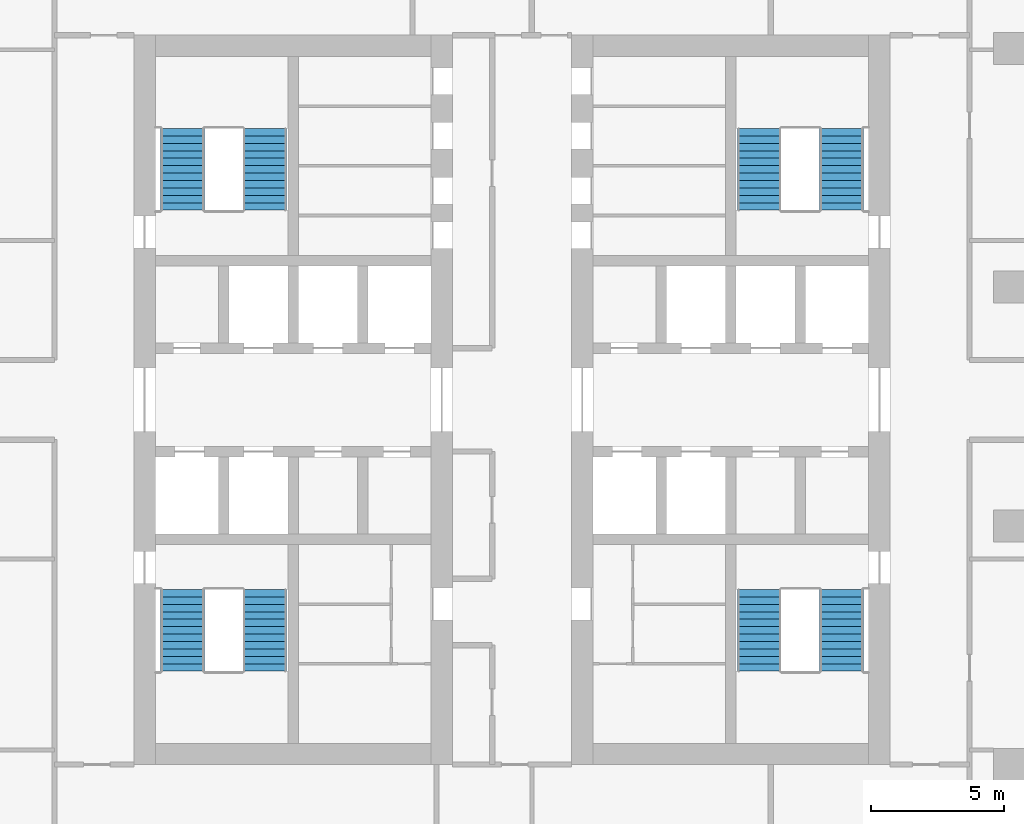
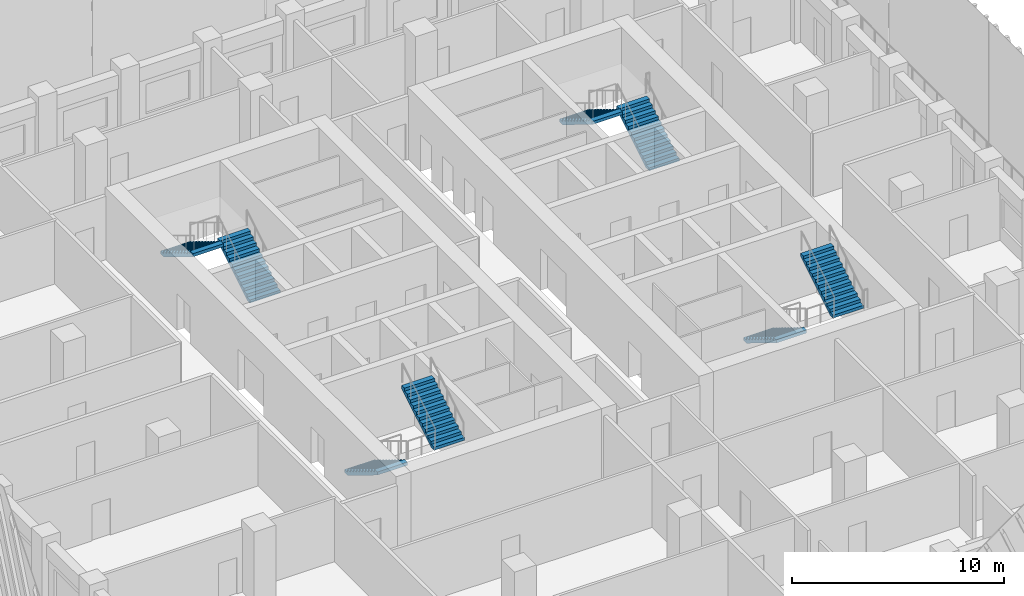
# One storey, part 9 of 17: 8 stair flights, 4 elements without a shape of their own.
"""IFC4 building model written with IfcOpenShell, lengths in metres."""

from ifc_helpers import new_model, si_unit, direction, frame, origin, place, context, subcontext, project, spatial, polyline, outline, extrude, material, type_object, element, aggregate, save


model = new_model("IFC4")

# Units and contexts
model_context = context("Model", 3, precision=1e-05, world=origin(), true_north=direction((0.0, 1.0)))
body_context = subcontext(model_context, "Body", "Model", "MODEL_VIEW")
ifc_project = project(units=[si_unit("LENGTHUNIT", "METRE"), si_unit("AREAUNIT", "SQUARE_METRE"), si_unit("VOLUMEUNIT", "CUBIC_METRE"), si_unit("PLANEANGLEUNIT", "RADIAN"), si_unit("MASSUNIT", "GRAM", prefix="KILO")], contexts=[model_context])

# Site, building, storey
site_placement = place(None, origin())
site = spatial("IfcSite", under=ifc_project, at=site_placement, CompositionType="ELEMENT")
building_placement = place(site_placement, origin())
building = spatial("IfcBuilding", under=site, at=building_placement, Name="Corbel Stack Research Tower", CompositionType="ELEMENT")
storey_placement = place(building_placement, frame((0.0, 0.0, 156.800048828125)))
storey = spatial("IfcBuildingStorey", under=building, at=storey_placement, Name="L35", CompositionType="ELEMENT", Elevation=156.800048828125)

# Stair, stair flights
ifc_material_1 = material(Name="Concrete C40/50", Category="concrete")
stair_type = type_object("IfcStairType", Name="Exit stair 24 risers", PredefinedType="HALF_TURN_STAIR", material=ifc_material_1)
stair_1_placement = place(storey_placement, origin())
stair_1 = element("IfcStair", 1, at=stair_1_placement, inside=storey, type_object=stair_type, Name="L35 Exit stair ST-W1", PredefinedType="HALF_TURN_STAIR")
ifc_material_2 = material(Name="Concrete C40/50", Category="concrete")
stair_flight_type = type_object("IfcStairFlightType", Name="Stair flight 12 risers", PredefinedType="STRAIGHT", material=ifc_material_2)
stair_flight_1_placement = place(storey_placement, frame((-8.675048828125, -2.39990234375, 0.0), z_axis=(0.0, 0.0, 1.0), x_axis=(0.0, -1.0, 0.0)))
stair_flight_1 = element("IfcStairFlight", 2, at=stair_flight_1_placement, type_object=stair_flight_type, Name="ST-W1 flight 1", NumberOfRisers=12, NumberOfTreads=11, PredefinedType="STRAIGHT", RiserHeight=0.170833333, TreadLength=0.28, context=body_context, shape_type="SweptSolid", body=[
    extrude(outline(polyline([(0.0, 0.0), (0.0, 0.1708984375), (0.280029296875, 0.1708984375), (0.280029296875, 0.341552734375), (0.56005859375, 0.341552734375), (0.56005859375, 0.512451171875), (0.840087890625, 0.512451171875), (0.840087890625, 0.683349609375), (1.1201171875, 0.683349609375), (1.1201171875, 0.854248046875), (1.39990234375, 0.854248046875), (1.39990234375, 1.02490234375), (1.679931640625, 1.02490234375), (1.679931640625, 1.19580078125), (1.9599609375, 1.19580078125), (1.9599609375, 1.36669921875), (2.239990234375, 1.36669921875), (2.239990234375, 1.53759765625), (2.52001953125, 1.53759765625), (2.52001953125, 1.708251953125), (2.800048828125, 1.708251953125), (2.800048828125, 1.879150390625), (3.080078125, 1.879150390625), (3.080078125, 2.050048828125), (3.080078125, 1.70361328125), (0.287841796875, 0.0), (0.0, 0.0)])), frame((0.0, 0.824951171875, 0.0), z_axis=(0.0, -1.0, 0.0), x_axis=(1.0, 0.0, 0.0)), (0.0, 0.0, 1.0), 1.64990234375),
])
stair_flight_2_placement = place(storey_placement, frame((-5.574951171875, -5.47998046875, 2.050048828125), z_axis=(0.0, 0.0, 1.0), x_axis=(0.0, 1.0, 0.0)))
stair_flight_2 = element("IfcStairFlight", 3, at=stair_flight_2_placement, type_object=stair_flight_type, Name="ST-W1 flight 2", NumberOfRisers=12, NumberOfTreads=11, PredefinedType="STRAIGHT", RiserHeight=0.170833333, TreadLength=0.28, context=body_context, shape_type="SweptSolid", body=[
    extrude(outline(polyline([(0.0, 0.0), (0.0, 0.1708984375), (0.280029296875, 0.1708984375), (0.280029296875, 0.341552734375), (0.56005859375, 0.341552734375), (0.56005859375, 0.512451171875), (0.840087890625, 0.512451171875), (0.840087890625, 0.683349609375), (1.1201171875, 0.683349609375), (1.1201171875, 0.854248046875), (1.39990234375, 0.854248046875), (1.39990234375, 1.02490234375), (1.679931640625, 1.02490234375), (1.679931640625, 1.19580078125), (1.9599609375, 1.19580078125), (1.9599609375, 1.36669921875), (2.239990234375, 1.36669921875), (2.239990234375, 1.53759765625), (2.52001953125, 1.53759765625), (2.52001953125, 1.708251953125), (2.800048828125, 1.708251953125), (2.800048828125, 1.879150390625), (3.080078125, 1.879150390625), (3.080078125, 2.050048828125), (3.080078125, 1.70361328125), (0.287841796875, 0.0), (0.0, 0.0)])), frame((0.0, 0.824951171875, 0.0), z_axis=(0.0, -1.0, 0.0), x_axis=(1.0, 0.0, 0.0)), (0.0, 0.0, 1.0), 1.64990234375),
])
aggregate(stair_1, [stair_flight_1, stair_flight_2])

stair_2_placement = place(storey_placement, origin())
stair_2 = element("IfcStair", 4, at=stair_2_placement, inside=storey, type_object=stair_type, Name="L35 Exit stair ST-W2", PredefinedType="HALF_TURN_STAIR")
stair_flight_3_placement = place(storey_placement, frame((-5.574951171875, 11.89990234375, 0.0), z_axis=(0.0, 0.0, 1.0), x_axis=(0.0, 1.0, 0.0)))
stair_flight_3 = element("IfcStairFlight", 5, at=stair_flight_3_placement, type_object=stair_flight_type, Name="ST-W2 flight 1", NumberOfRisers=12, NumberOfTreads=11, PredefinedType="STRAIGHT", RiserHeight=0.170833333, TreadLength=0.28, context=body_context, shape_type="SweptSolid", body=[
    extrude(outline(polyline([(0.0, 0.0), (0.0, 0.1708984375), (0.280029296875, 0.1708984375), (0.280029296875, 0.341552734375), (0.56005859375, 0.341552734375), (0.56005859375, 0.512451171875), (0.840087890625, 0.512451171875), (0.840087890625, 0.683349609375), (1.1201171875, 0.683349609375), (1.1201171875, 0.854248046875), (1.39990234375, 0.854248046875), (1.39990234375, 1.02490234375), (1.679931640625, 1.02490234375), (1.679931640625, 1.19580078125), (1.9599609375, 1.19580078125), (1.9599609375, 1.36669921875), (2.239990234375, 1.36669921875), (2.239990234375, 1.53759765625), (2.52001953125, 1.53759765625), (2.52001953125, 1.708251953125), (2.800048828125, 1.708251953125), (2.800048828125, 1.879150390625), (3.080078125, 1.879150390625), (3.080078125, 2.050048828125), (3.080078125, 1.70361328125), (0.287841796875, 0.0), (0.0, 0.0)])), frame((0.0, 0.824951171875, 0.0), z_axis=(0.0, -1.0, 0.0), x_axis=(1.0, 0.0, 0.0)), (0.0, 0.0, 1.0), 1.64990234375),
])
stair_flight_4_placement = place(storey_placement, frame((-8.675048828125, 14.97998046875, 2.050048828125), z_axis=(0.0, 0.0, 1.0), x_axis=(0.0, -1.0, 0.0)))
stair_flight_4 = element("IfcStairFlight", 6, at=stair_flight_4_placement, type_object=stair_flight_type, Name="ST-W2 flight 2", NumberOfRisers=12, NumberOfTreads=11, PredefinedType="STRAIGHT", RiserHeight=0.170833333, TreadLength=0.28, context=body_context, shape_type="SweptSolid", body=[
    extrude(outline(polyline([(0.0, 0.0), (0.0, 0.1708984375), (0.280029296875, 0.1708984375), (0.280029296875, 0.341552734375), (0.56005859375, 0.341552734375), (0.56005859375, 0.512451171875), (0.840087890625, 0.512451171875), (0.840087890625, 0.683349609375), (1.1201171875, 0.683349609375), (1.1201171875, 0.854248046875), (1.39990234375, 0.854248046875), (1.39990234375, 1.02490234375), (1.679931640625, 1.02490234375), (1.679931640625, 1.19580078125), (1.9599609375, 1.19580078125), (1.9599609375, 1.36669921875), (2.239990234375, 1.36669921875), (2.239990234375, 1.53759765625), (2.52001953125, 1.53759765625), (2.52001953125, 1.708251953125), (2.800048828125, 1.708251953125), (2.800048828125, 1.879150390625), (3.080078125, 1.879150390625), (3.080078125, 2.050048828125), (3.080078125, 1.70361328125), (0.287841796875, 0.0), (0.0, 0.0)])), frame((0.0, 0.824951171875, 0.0), z_axis=(0.0, -1.0, 0.0), x_axis=(1.0, 0.0, 0.0)), (0.0, 0.0, 1.0), 1.64990234375),
])
aggregate(stair_2, [stair_flight_3, stair_flight_4])

stair_3_placement = place(storey_placement, origin())
stair_3 = element("IfcStair", 7, at=stair_3_placement, inside=storey, type_object=stair_type, Name="L35 Exit stair ST-E1", PredefinedType="HALF_TURN_STAIR")
stair_flight_5_placement = place(storey_placement, frame((13.074951171875, -2.39990234375, 0.0), z_axis=(0.0, 0.0, 1.0), x_axis=(0.0, -1.0, 0.0)))
stair_flight_5 = element("IfcStairFlight", 8, at=stair_flight_5_placement, type_object=stair_flight_type, Name="ST-E1 flight 1", NumberOfRisers=12, NumberOfTreads=11, PredefinedType="STRAIGHT", RiserHeight=0.170833333, TreadLength=0.28, context=body_context, shape_type="SweptSolid", body=[
    extrude(outline(polyline([(0.0, 0.0), (0.0, 0.1708984375), (0.280029296875, 0.1708984375), (0.280029296875, 0.341552734375), (0.56005859375, 0.341552734375), (0.56005859375, 0.512451171875), (0.840087890625, 0.512451171875), (0.840087890625, 0.683349609375), (1.1201171875, 0.683349609375), (1.1201171875, 0.854248046875), (1.39990234375, 0.854248046875), (1.39990234375, 1.02490234375), (1.679931640625, 1.02490234375), (1.679931640625, 1.19580078125), (1.9599609375, 1.19580078125), (1.9599609375, 1.36669921875), (2.239990234375, 1.36669921875), (2.239990234375, 1.53759765625), (2.52001953125, 1.53759765625), (2.52001953125, 1.708251953125), (2.800048828125, 1.708251953125), (2.800048828125, 1.879150390625), (3.080078125, 1.879150390625), (3.080078125, 2.050048828125), (3.080078125, 1.70361328125), (0.287841796875, 0.0), (0.0, 0.0)])), frame((0.0, 0.824951171875, 0.0), z_axis=(0.0, -1.0, 0.0), x_axis=(1.0, 0.0, 0.0)), (0.0, 0.0, 1.0), 1.64990234375),
])
stair_flight_6_placement = place(storey_placement, frame((16.175048828125, -5.47998046875, 2.050048828125), z_axis=(0.0, 0.0, 1.0), x_axis=(0.0, 1.0, 0.0)))
stair_flight_6 = element("IfcStairFlight", 9, at=stair_flight_6_placement, type_object=stair_flight_type, Name="ST-E1 flight 2", NumberOfRisers=12, NumberOfTreads=11, PredefinedType="STRAIGHT", RiserHeight=0.170833333, TreadLength=0.28, context=body_context, shape_type="SweptSolid", body=[
    extrude(outline(polyline([(0.0, 0.0), (0.0, 0.1708984375), (0.280029296875, 0.1708984375), (0.280029296875, 0.341552734375), (0.56005859375, 0.341552734375), (0.56005859375, 0.512451171875), (0.840087890625, 0.512451171875), (0.840087890625, 0.683349609375), (1.1201171875, 0.683349609375), (1.1201171875, 0.854248046875), (1.39990234375, 0.854248046875), (1.39990234375, 1.02490234375), (1.679931640625, 1.02490234375), (1.679931640625, 1.19580078125), (1.9599609375, 1.19580078125), (1.9599609375, 1.36669921875), (2.239990234375, 1.36669921875), (2.239990234375, 1.53759765625), (2.52001953125, 1.53759765625), (2.52001953125, 1.708251953125), (2.800048828125, 1.708251953125), (2.800048828125, 1.879150390625), (3.080078125, 1.879150390625), (3.080078125, 2.050048828125), (3.080078125, 1.70361328125), (0.287841796875, 0.0), (0.0, 0.0)])), frame((0.0, 0.824951171875, 0.0), z_axis=(0.0, -1.0, 0.0), x_axis=(1.0, 0.0, 0.0)), (0.0, 0.0, 1.0), 1.64990234375),
])
aggregate(stair_3, [stair_flight_5, stair_flight_6])

stair_4_placement = place(storey_placement, origin())
stair_4 = element("IfcStair", 10, at=stair_4_placement, inside=storey, type_object=stair_type, Name="L35 Exit stair ST-E2", PredefinedType="HALF_TURN_STAIR")
stair_flight_7_placement = place(storey_placement, frame((16.175048828125, 11.89990234375, 0.0), z_axis=(0.0, 0.0, 1.0), x_axis=(0.0, 1.0, 0.0)))
stair_flight_7 = element("IfcStairFlight", 11, at=stair_flight_7_placement, type_object=stair_flight_type, Name="ST-E2 flight 1", NumberOfRisers=12, NumberOfTreads=11, PredefinedType="STRAIGHT", RiserHeight=0.170833333, TreadLength=0.28, context=body_context, shape_type="SweptSolid", body=[
    extrude(outline(polyline([(0.0, 0.0), (0.0, 0.1708984375), (0.280029296875, 0.1708984375), (0.280029296875, 0.341552734375), (0.56005859375, 0.341552734375), (0.56005859375, 0.512451171875), (0.840087890625, 0.512451171875), (0.840087890625, 0.683349609375), (1.1201171875, 0.683349609375), (1.1201171875, 0.854248046875), (1.39990234375, 0.854248046875), (1.39990234375, 1.02490234375), (1.679931640625, 1.02490234375), (1.679931640625, 1.19580078125), (1.9599609375, 1.19580078125), (1.9599609375, 1.36669921875), (2.239990234375, 1.36669921875), (2.239990234375, 1.53759765625), (2.52001953125, 1.53759765625), (2.52001953125, 1.708251953125), (2.800048828125, 1.708251953125), (2.800048828125, 1.879150390625), (3.080078125, 1.879150390625), (3.080078125, 2.050048828125), (3.080078125, 1.70361328125), (0.287841796875, 0.0), (0.0, 0.0)])), frame((0.0, 0.824951171875, 0.0), z_axis=(0.0, -1.0, 0.0), x_axis=(1.0, 0.0, 0.0)), (0.0, 0.0, 1.0), 1.64990234375),
])
stair_flight_8_placement = place(storey_placement, frame((13.074951171875, 14.97998046875, 2.050048828125), z_axis=(0.0, 0.0, 1.0), x_axis=(0.0, -1.0, 0.0)))
stair_flight_8 = element("IfcStairFlight", 12, at=stair_flight_8_placement, type_object=stair_flight_type, Name="ST-E2 flight 2", NumberOfRisers=12, NumberOfTreads=11, PredefinedType="STRAIGHT", RiserHeight=0.170833333, TreadLength=0.28, context=body_context, shape_type="SweptSolid", body=[
    extrude(outline(polyline([(0.0, 0.0), (0.0, 0.1708984375), (0.280029296875, 0.1708984375), (0.280029296875, 0.341552734375), (0.56005859375, 0.341552734375), (0.56005859375, 0.512451171875), (0.840087890625, 0.512451171875), (0.840087890625, 0.683349609375), (1.1201171875, 0.683349609375), (1.1201171875, 0.854248046875), (1.39990234375, 0.854248046875), (1.39990234375, 1.02490234375), (1.679931640625, 1.02490234375), (1.679931640625, 1.19580078125), (1.9599609375, 1.19580078125), (1.9599609375, 1.36669921875), (2.239990234375, 1.36669921875), (2.239990234375, 1.53759765625), (2.52001953125, 1.53759765625), (2.52001953125, 1.708251953125), (2.800048828125, 1.708251953125), (2.800048828125, 1.879150390625), (3.080078125, 1.879150390625), (3.080078125, 2.050048828125), (3.080078125, 1.70361328125), (0.287841796875, 0.0), (0.0, 0.0)])), frame((0.0, 0.824951171875, 0.0), z_axis=(0.0, -1.0, 0.0), x_axis=(1.0, 0.0, 0.0)), (0.0, 0.0, 1.0), 1.64990234375),
])
aggregate(stair_4, [stair_flight_7, stair_flight_8])

save(model, "model.ifc")
